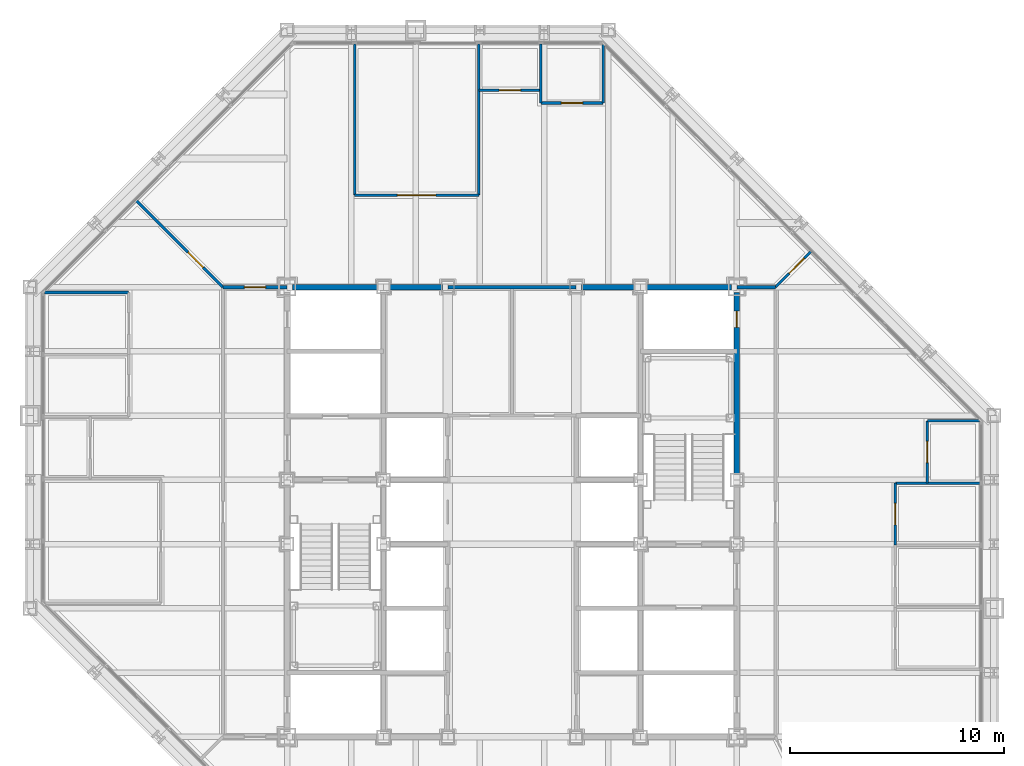
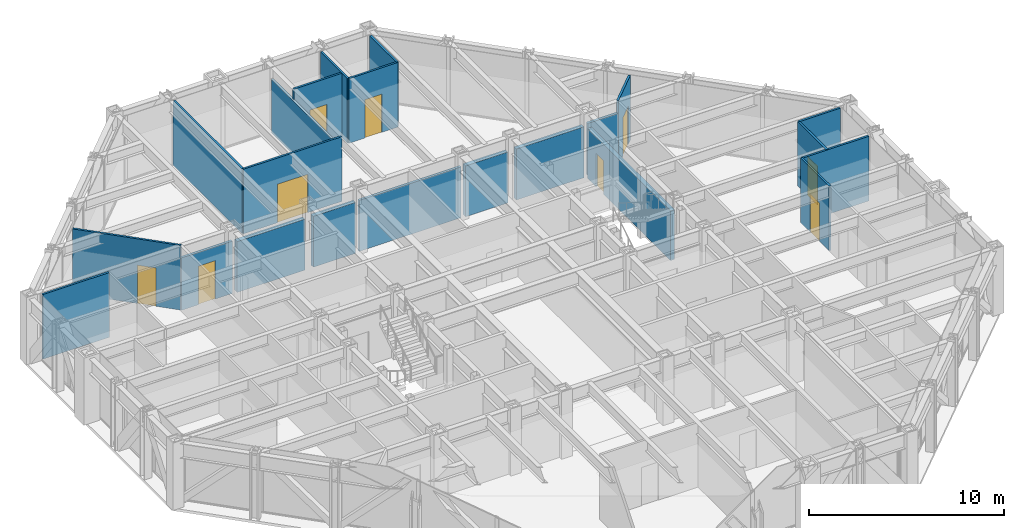
# One storey, part 13 of 16: 22 walls, 9 doors, 9 openings.
"""IFC4 building model written with IfcOpenShell, lengths in metres."""

from ifc_helpers import new_model, si_unit, direction, frame, frame_2d, origin, place, context, subcontext, project, spatial, rectangle, extrude, material, layer, layer_set, type_object, element, fill, save


model = new_model("IFC4")

# Units and contexts
model_context = context("Model", 3, precision=1e-05, world=origin(), true_north=direction((0.0, 1.0)))
body_context = subcontext(model_context, "Body", "Model", "MODEL_VIEW")
ifc_project = project(units=[si_unit("LENGTHUNIT", "METRE"), si_unit("AREAUNIT", "SQUARE_METRE"), si_unit("VOLUMEUNIT", "CUBIC_METRE"), si_unit("PLANEANGLEUNIT", "RADIAN"), si_unit("MASSUNIT", "GRAM", prefix="KILO")], contexts=[model_context])

# Site, building, storey
site_placement = place(None, origin())
site = spatial("IfcSite", under=ifc_project, at=site_placement, CompositionType="ELEMENT")
building_placement = place(site_placement, origin())
building = spatial("IfcBuilding", under=site, at=building_placement, Name="Chuquiago Exchange Tower", CompositionType="ELEMENT")
storey_placement = place(building_placement, frame((0.0, 0.0, 213.89990234375)))
storey = spatial("IfcBuildingStorey", under=building, at=storey_placement, Name="L47", CompositionType="ELEMENT", Elevation=213.89990234375)

# Walls
ifc_material_1 = material(Name="Concrete masonry, fully grouted", Category="masonry")
ifc_layer_1 = layer(ifc_material_1, 0.25)
ifc_layer_set_1 = layer_set([ifc_layer_1], Name="W1 core wall 250")
wall_type_1 = type_object("IfcWallType", Name="W1 core wall 250", PredefinedType="SOLIDWALL", material=ifc_layer_set_1)
wall_1_placement = place(storey_placement, frame((12.25, 33.0, 0.0), z_axis=(0.0, 0.0, 1.0), x_axis=(1.0, 0.0, 0.0)))
element("IfcWall", 1, at=wall_1_placement, inside=storey, type_object=wall_type_1, Name="CW-L47-11-0", PredefinedType="SOLIDWALL", context=body_context, shape_type="SweptSolid", body=[
    extrude(rectangle(XDim=4.0, YDim=0.25, at=frame_2d((2.0, 0.0))), origin(), (0.0, 0.0, 1.0), 3.181640625),
])
for number, where, z_axis, x_axis, name in (
    (2, (16.75, 33.0, 0.0), (0.0, 0.0, 1.0), (1.0, 0.0, 0.0), "CW-L47-11-1"),
    (3, (25.75, 33.0, 0.0), (0.0, 0.0, 1.0), (1.0, 0.0, 0.0), "CW-L47-12-0"),
):
    element("IfcWall", number, at=place(storey_placement, frame(where, z_axis=z_axis, x_axis=x_axis)), inside=storey, type_object=wall_type_1, Name=name, PredefinedType="SOLIDWALL", context=body_context, shape_type="SweptSolid", body=[
        extrude(rectangle(XDim=2.5, YDim=0.25, at=frame_2d((1.25, 0.0))), origin(), (0.0, 0.0, 1.0), 3.181640625),
    ])
wall_2_placement = place(storey_placement, frame((28.75, 33.0, 0.0), z_axis=(0.0, 0.0, 1.0), x_axis=(1.0, 0.0, 0.0)))
element("IfcWall", 4, at=wall_2_placement, inside=storey, type_object=wall_type_1, Name="CW-L47-12-1", PredefinedType="SOLIDWALL", context=body_context, shape_type="SweptSolid", body=[
    extrude(rectangle(XDim=4.0, YDim=0.25, at=frame_2d((2.0, 0.0))), origin(), (0.0, 0.0, 1.0), 3.181640625),
])

# Wall, opening, door
wall_3_placement = place(storey_placement, frame((33.0, 24.25, 0.0), z_axis=(0.0, 0.0, 1.0), x_axis=(0.0, 1.0, 0.0)))
wall_3 = element("IfcWall", 5, at=wall_3_placement, inside=storey, type_object=wall_type_1, Name="CW-L47-25-2", PredefinedType="SOLIDWALL", context=body_context, shape_type="SweptSolid", body=[
    extrude(rectangle(XDim=8.5, YDim=0.25, at=frame_2d((4.25, 0.0))), origin(), (0.0, 0.0, 1.0), 3.113037109375),
])
opening_1_placement = place(wall_3_placement, frame((6.875, 0.0, 0.0)))
opening_1 = element("IfcOpeningElement", 6, at=opening_1_placement, cuts=wall_3, Name="Opening L47-010", PredefinedType="OPENING", context=body_context, shape_type="SweptSolid", body=[
    extrude(rectangle(XDim=0.75, YDim=2.10009765625, at=frame_2d((0.375, 1.050048828125))), frame((0.0, 0.135009765625, 0.0), z_axis=(0.0, -1.0, 0.0), x_axis=(1.0, 0.0, 0.0)), (0.0, 0.0, 1.0), 0.27001953125),
])
ifc_material_2 = material(Name="Steel door, painted", Category="steel")
door_type_1 = type_object("IfcDoorType", Name="D6 riser access door 750x2100", OperationType="SINGLE_SWING_LEFT", PredefinedType="DOOR", material=ifc_material_2)
door_1_placement = place(opening_1_placement, frame((0.75, 0.0, 0.0), z_axis=(0.0, 0.0, 1.0), x_axis=(-1.0, 0.0, 0.0)))
door_1 = element("IfcDoor", 7, at=door_1_placement, inside=storey, type_object=door_type_1, Name="Riser RE2 door", OperationType="SINGLE_SWING_LEFT", OverallHeight=2.10009765625, OverallWidth=0.75, PredefinedType="DOOR", context=body_context, shape_type="SweptSolid", body=[
    extrude(rectangle(XDim=0.75, YDim=2.10009765625, at=frame_2d((0.375, 1.050048828125))), frame((0.0, 0.02490234375, 0.0), z_axis=(0.0, -1.0, 0.0), x_axis=(1.0, 0.0, 0.0)), (0.0, 0.0, 1.0), 0.050048828125),
])
fill(opening_1, door_1)

ifc_material_3 = material(Name="Gypsum board on steel studs, acoustic insulation", Category="steel")
ifc_layer_2 = layer(ifc_material_3, 0.14990234375)
ifc_layer_set_2 = layer_set([ifc_layer_2], Name="W11 corridor wall 150")
wall_type_2 = type_object("IfcWallType", Name="W11 corridor wall 150", PredefinedType="PARTITIONING", material=ifc_layer_set_2)
wall_4_placement = place(storey_placement, frame((9.0, 33.0, 0.0), z_axis=(0.0, 0.0, 1.0), x_axis=(1.0, 0.0, 0.0)))
wall_4 = element("IfcWall", 8, at=wall_4_placement, inside=storey, type_object=wall_type_2, Name="PW-L47-GWN0", PredefinedType="PARTITIONING", context=body_context, shape_type="SweptSolid", body=[
    extrude(rectangle(XDim=3.0, YDim=0.14990234375, at=frame_2d((1.5, 0.0))), origin(), (0.0, 0.0, 1.0), 3.2705078125),
])
opening_2_placement = place(wall_4_placement, frame((1.0, 0.0, 0.0)))
opening_2 = element("IfcOpeningElement", 9, at=opening_2_placement, cuts=wall_4, Name="Opening L47-036", PredefinedType="OPENING", context=body_context, shape_type="SweptSolid", body=[
    extrude(rectangle(XDim=1.0, YDim=2.39990234375, at=frame_2d((0.5, 1.199951171875))), frame((0.0, 0.0849609375, 0.0), z_axis=(0.0, -1.0, 0.0), x_axis=(1.0, 0.0, 0.0)), (0.0, 0.0, 1.0), 0.169921875),
])
ifc_material_4 = material(Name="Timber door, laminate faced", Category="wood")
door_type_2 = type_object("IfcDoorType", Name="D9 room door 1000x2400", OperationType="SINGLE_SWING_LEFT", PredefinedType="DOOR", material=ifc_material_4)
door_2_placement = place(opening_2_placement, origin())
door_2 = element("IfcDoor", 10, at=door_2_placement, inside=storey, type_object=door_type_2, Name="Team area door", OperationType="SINGLE_SWING_RIGHT", OverallHeight=2.39990234375, OverallWidth=1.0, PredefinedType="DOOR", context=body_context, shape_type="SweptSolid", body=[
    extrude(rectangle(XDim=1.0, YDim=2.39990234375, at=frame_2d((0.5, 1.199951171875))), frame((0.0, 0.02490234375, 0.0), z_axis=(0.0, -1.0, 0.0), x_axis=(1.0, 0.0, 0.0)), (0.0, 0.0, 1.0), 0.050048828125),
])
fill(opening_2, door_2)

# Walls
wall_5_placement = place(storey_placement, frame((33.0, 33.0, 0.0), z_axis=(0.0, 0.0, 1.0), x_axis=(1.0, 0.0, 0.0)))
element("IfcWall", 11, at=wall_5_placement, inside=storey, type_object=wall_type_2, Name="PW-L47-GEN0", PredefinedType="PARTITIONING", context=body_context, shape_type="SweptSolid", body=[
    extrude(rectangle(XDim=1.800048828125, YDim=0.14990234375, at=frame_2d((0.89990234375, 0.0))), origin(), (0.0, 0.0, 1.0), 3.2705078125),
])
ifc_material_5 = material(Name="Gypsum board on steel studs", Category="steel")
ifc_layer_3 = layer(ifc_material_5, 0.14990234375)
ifc_layer_set_3 = layer_set([ifc_layer_3], Name="W3 core partition 150")
wall_type_3 = type_object("IfcWallType", Name="W3 core partition 150", PredefinedType="PARTITIONING", material=ifc_layer_set_3)
wall_6_placement = place(storey_placement, frame((19.5, 33.0, 0.0), z_axis=(0.0, 0.0, 1.0), x_axis=(1.0, 0.0, 0.0)))
element("IfcWall", 12, at=wall_6_placement, inside=storey, type_object=wall_type_3, Name="CW-L47-TB", PredefinedType="PARTITIONING", context=body_context, shape_type="SweptSolid", body=[
    extrude(rectangle(XDim=6.0, YDim=0.14990234375, at=frame_2d((3.0, 0.0))), origin(), (0.0, 0.0, 1.0), 3.181640625),
])
ifc_material_6 = material(Name="Gypsum board on steel studs", Category="steel")
ifc_layer_4 = layer(ifc_material_6, 0.1201171875)
ifc_layer_set_4 = layer_set([ifc_layer_4], Name="W4 partition 120")
wall_type_4 = type_object("IfcWallType", Name="W4 partition 120", PredefinedType="PARTITIONING", material=ifc_layer_set_4)
wall_7_placement = place(storey_placement, frame((44.347412109375, 23.850830078125, 0.0), z_axis=(0.0, 0.0, 1.0), x_axis=(-1.0, 0.0, 0.0)))
element("IfcWall", 13, at=wall_7_placement, inside=storey, type_object=wall_type_4, Name="PW-L47-E02385", PredefinedType="PARTITIONING", context=body_context, shape_type="SweptSolid", body=[
    extrude(rectangle(XDim=3.947509765625, YDim=0.1201171875, at=frame_2d((1.9736328125, 0.0))), origin(), (0.0, 0.0, 1.0), 4.0400390625),
])
wall_8_placement = place(storey_placement, frame((44.333984375, 26.75146484375, 0.0), z_axis=(0.0, 0.0, 1.0), x_axis=(-1.0, 0.0, 0.0)))
element("IfcWall", 14, at=wall_8_placement, inside=storey, type_object=wall_type_4, Name="PW-L47-E02675", PredefinedType="PARTITIONING", context=body_context, shape_type="SweptSolid", body=[
    extrude(rectangle(XDim=2.43408203125, YDim=0.1201171875, at=frame_2d((1.217041015625, 0.0))), origin(), (0.0, 0.0, 1.0), 4.0400390625),
])

# Wall, opening, door
wall_9_placement = place(storey_placement, frame((40.39990234375, 20.9501953125, 0.0), z_axis=(0.0, 0.0, 1.0), x_axis=(0.0, 1.0, 0.0)))
wall_9 = element("IfcWall", 15, at=wall_9_placement, inside=storey, type_object=wall_type_4, Name="PW-L47-EF02095", PredefinedType="PARTITIONING", context=body_context, shape_type="SweptSolid", body=[
    extrude(rectangle(XDim=2.900634765625, YDim=0.1201171875, at=frame_2d((1.4501953125, 0.0))), origin(), (0.0, 0.0, 1.0), 4.0400390625),
])
opening_3_placement = place(wall_9_placement, frame((0.9501953125, 0.0, 0.0)))
opening_3 = element("IfcOpeningElement", 16, at=opening_3_placement, cuts=wall_9, Name="Opening L47-026", PredefinedType="OPENING", context=body_context, shape_type="SweptSolid", body=[
    extrude(rectangle(XDim=1.0, YDim=2.39990234375, at=frame_2d((0.5, 1.199951171875))), frame((0.0, 0.070068359375, 0.0), z_axis=(0.0, -1.0, 0.0), x_axis=(1.0, 0.0, 0.0)), (0.0, 0.0, 1.0), 0.14013671875),
])
door_3_placement = place(opening_3_placement, frame((1.0, 0.0, 0.0), z_axis=(0.0, 0.0, 1.0), x_axis=(-1.0, 0.0, 0.0)))
door_3 = element("IfcDoor", 17, at=door_3_placement, inside=storey, type_object=door_type_2, Name="Office door", OperationType="SINGLE_SWING_RIGHT", OverallHeight=2.39990234375, OverallWidth=1.0, PredefinedType="DOOR", context=body_context, shape_type="SweptSolid", body=[
    extrude(rectangle(XDim=1.0, YDim=2.39990234375, at=frame_2d((0.5, 1.199951171875))), frame((0.0, 0.02490234375, 0.0), z_axis=(0.0, -1.0, 0.0), x_axis=(1.0, 0.0, 0.0)), (0.0, 0.0, 1.0), 0.050048828125),
])
fill(opening_3, door_3)

wall_10_placement = place(storey_placement, frame((41.89990234375, 23.850830078125, 0.0), z_axis=(0.0, 0.0, 1.0), x_axis=(0.0, 1.0, 0.0)))
wall_10 = element("IfcWall", 18, at=wall_10_placement, inside=storey, type_object=wall_type_4, Name="PW-L47-EF02385", PredefinedType="PARTITIONING", context=body_context, shape_type="SweptSolid", body=[
    extrude(rectangle(XDim=2.900634765625, YDim=0.1201171875, at=frame_2d((1.4501953125, 0.0))), origin(), (0.0, 0.0, 1.0), 4.0400390625),
])
opening_4_placement = place(wall_10_placement, frame((0.9501953125, 0.0, 0.0)))
opening_4 = element("IfcOpeningElement", 19, at=opening_4_placement, cuts=wall_10, Name="Opening L47-027", PredefinedType="OPENING", context=body_context, shape_type="SweptSolid", body=[
    extrude(rectangle(XDim=1.0, YDim=2.39990234375, at=frame_2d((0.5, 1.199951171875))), frame((0.0, 0.070068359375, 0.0), z_axis=(0.0, -1.0, 0.0), x_axis=(1.0, 0.0, 0.0)), (0.0, 0.0, 1.0), 0.14013671875),
])
door_4_placement = place(opening_4_placement, frame((1.0, 0.0, 0.0), z_axis=(0.0, 0.0, 1.0), x_axis=(-1.0, 0.0, 0.0)))
door_4 = element("IfcDoor", 20, at=door_4_placement, inside=storey, type_object=door_type_2, Name="Store door", OperationType="SINGLE_SWING_RIGHT", OverallHeight=2.39990234375, OverallWidth=1.0, PredefinedType="DOOR", context=body_context, shape_type="SweptSolid", body=[
    extrude(rectangle(XDim=1.0, YDim=2.39990234375, at=frame_2d((0.5, 1.199951171875))), frame((0.0, 0.02490234375, 0.0), z_axis=(0.0, -1.0, 0.0), x_axis=(1.0, 0.0, 0.0)), (0.0, 0.0, 1.0), 0.050048828125),
])
fill(opening_4, door_4)

# Walls
wall_11_placement = place(storey_placement, frame((15.149169921875, 44.347412109375, 0.0), z_axis=(0.0, 0.0, 1.0), x_axis=(0.0, -1.0, 0.0)))
element("IfcWall", 21, at=wall_11_placement, inside=storey, type_object=wall_type_4, Name="PW-L47-N01515", PredefinedType="PARTITIONING", context=body_context, shape_type="SweptSolid", body=[
    extrude(rectangle(XDim=7.04736328125, YDim=0.1201171875, at=frame_2d((3.523681640625, 0.0))), origin(), (0.0, 0.0, 1.0), 4.0400390625),
])
wall_12_placement = place(storey_placement, frame((20.9501953125, 44.347412109375, 0.0), z_axis=(0.0, 0.0, 1.0), x_axis=(0.0, -1.0, 0.0)))
element("IfcWall", 22, at=wall_12_placement, inside=storey, type_object=wall_type_4, Name="PW-L47-N02095", PredefinedType="PARTITIONING", context=body_context, shape_type="SweptSolid", body=[
    extrude(rectangle(XDim=7.04736328125, YDim=0.1201171875, at=frame_2d((3.523681640625, 0.0))), origin(), (0.0, 0.0, 1.0), 3.35693359375),
])
wall_13_placement = place(storey_placement, frame((23.850830078125, 44.347412109375, 0.0), z_axis=(0.0, 0.0, 1.0), x_axis=(0.0, -1.0, 0.0)))
element("IfcWall", 23, at=wall_13_placement, inside=storey, type_object=wall_type_4, Name="PW-L47-N02385", PredefinedType="PARTITIONING", context=body_context, shape_type="SweptSolid", body=[
    extrude(rectangle(XDim=2.747314453125, YDim=0.1201171875, at=frame_2d((1.37353515625, 0.0))), origin(), (0.0, 0.0, 1.0), 4.0400390625),
])
wall_14_placement = place(storey_placement, frame((26.75146484375, 44.333984375, 0.0), z_axis=(0.0, 0.0, 1.0), x_axis=(0.0, -1.0, 0.0)))
element("IfcWall", 24, at=wall_14_placement, inside=storey, type_object=wall_type_4, Name="PW-L47-N02675", PredefinedType="PARTITIONING", context=body_context, shape_type="SweptSolid", body=[
    extrude(rectangle(XDim=2.73388671875, YDim=0.1201171875, at=frame_2d((1.366943359375, 0.0))), origin(), (0.0, 0.0, 1.0), 4.0400390625),
])

# Wall, opening, door
wall_15_placement = place(storey_placement, frame((15.149169921875, 37.300048828125, 0.0), z_axis=(0.0, 0.0, 1.0), x_axis=(1.0, 0.0, 0.0)))
wall_15 = element("IfcWall", 25, at=wall_15_placement, inside=storey, type_object=wall_type_4, Name="PW-L47-NF01515", PredefinedType="PARTITIONING", context=body_context, shape_type="SweptSolid", body=[
    extrude(rectangle(XDim=5.801025390625, YDim=0.1201171875, at=frame_2d((2.900390625, 0.0))), origin(), (0.0, 0.0, 1.0), 4.0400390625),
])
opening_5_placement = place(wall_15_placement, frame((2.00048828125, 0.0, 0.0)))
opening_5 = element("IfcOpeningElement", 26, at=opening_5_placement, cuts=wall_15, Name="Opening L47-028", PredefinedType="OPENING", context=body_context, shape_type="SweptSolid", body=[
    extrude(rectangle(XDim=1.800048828125, YDim=2.39990234375, at=frame_2d((0.89990234375, 1.199951171875))), frame((0.0, 0.070068359375, 0.0), z_axis=(0.0, -1.0, 0.0), x_axis=(1.0, 0.0, 0.0)), (0.0, 0.0, 1.0), 0.14013671875),
])
ifc_material_7 = material(Name="Timber door pair, laminate faced", Category="wood")
door_type_3 = type_object("IfcDoorType", Name="D15 double room door 1800x2400", OperationType="DOUBLE_DOOR_DOUBLE_SWING", PredefinedType="DOOR", material=ifc_material_7)
door_5_placement = place(opening_5_placement, origin())
door_5 = element("IfcDoor", 27, at=door_5_placement, inside=storey, type_object=door_type_3, Name="Media room door", OperationType="DOUBLE_DOOR_DOUBLE_SWING", OverallHeight=2.39990234375, OverallWidth=1.800048828125, PredefinedType="DOOR", context=body_context, shape_type="SweptSolid", body=[
    extrude(rectangle(XDim=1.800048828125, YDim=2.39990234375, at=frame_2d((0.89990234375, 1.199951171875))), frame((0.0, 0.02490234375, 0.0), z_axis=(0.0, -1.0, 0.0), x_axis=(1.0, 0.0, 0.0)), (0.0, 0.0, 1.0), 0.050048828125),
])
fill(opening_5, door_5)

wall_16_placement = place(storey_placement, frame((20.9501953125, 42.199951171875, 0.0), z_axis=(0.0, 0.0, 1.0), x_axis=(1.0, 0.0, 0.0)))
wall_16 = element("IfcWall", 28, at=wall_16_placement, inside=storey, type_object=wall_type_4, Name="PW-L47-NF02095", PredefinedType="PARTITIONING", context=body_context, shape_type="SweptSolid", body=[
    extrude(rectangle(XDim=2.900634765625, YDim=0.1201171875, at=frame_2d((1.4501953125, 0.0))), origin(), (0.0, 0.0, 1.0), 4.0400390625),
])
opening_6_placement = place(wall_16_placement, frame((0.9501953125, 0.0, 0.0)))
opening_6 = element("IfcOpeningElement", 29, at=opening_6_placement, cuts=wall_16, Name="Opening L47-029", PredefinedType="OPENING", context=body_context, shape_type="SweptSolid", body=[
    extrude(rectangle(XDim=1.0, YDim=2.39990234375, at=frame_2d((0.5, 1.199951171875))), frame((0.0, 0.070068359375, 0.0), z_axis=(0.0, -1.0, 0.0), x_axis=(1.0, 0.0, 0.0)), (0.0, 0.0, 1.0), 0.14013671875),
])
ifc_material_8 = material(Name="Timber frame door, full height glazed panel", Category="wood")
door_type_4 = type_object("IfcDoorType", Name="D14 glazed meeting room door 1000x2400", OperationType="SINGLE_SWING_LEFT", PredefinedType="DOOR", material=ifc_material_8)
door_6_placement = place(opening_6_placement, origin())
door_6 = element("IfcDoor", 30, at=door_6_placement, inside=storey, type_object=door_type_4, Name="Focus room door", OperationType="SINGLE_SWING_LEFT", OverallHeight=2.39990234375, OverallWidth=1.0, PredefinedType="DOOR", context=body_context, shape_type="SweptSolid", body=[
    extrude(rectangle(XDim=1.0, YDim=2.39990234375, at=frame_2d((0.5, 1.199951171875))), frame((0.0, 0.02490234375, 0.0), z_axis=(0.0, -1.0, 0.0), x_axis=(1.0, 0.0, 0.0)), (0.0, 0.0, 1.0), 0.050048828125),
])
fill(opening_6, door_6)

wall_17_placement = place(storey_placement, frame((23.850830078125, 41.60009765625, 0.0), z_axis=(0.0, 0.0, 1.0), x_axis=(1.0, 0.0, 0.0)))
wall_17 = element("IfcWall", 31, at=wall_17_placement, inside=storey, type_object=wall_type_4, Name="PW-L47-NF02385", PredefinedType="PARTITIONING", context=body_context, shape_type="SweptSolid", body=[
    extrude(rectangle(XDim=2.900634765625, YDim=0.1201171875, at=frame_2d((1.4501953125, 0.0))), origin(), (0.0, 0.0, 1.0), 4.0400390625),
])
opening_7_placement = place(wall_17_placement, frame((0.9501953125, 0.0, 0.0)))
opening_7 = element("IfcOpeningElement", 32, at=opening_7_placement, cuts=wall_17, Name="Opening L47-030", PredefinedType="OPENING", context=body_context, shape_type="SweptSolid", body=[
    extrude(rectangle(XDim=1.0, YDim=2.39990234375, at=frame_2d((0.5, 1.199951171875))), frame((0.0, 0.070068359375, 0.0), z_axis=(0.0, -1.0, 0.0), x_axis=(1.0, 0.0, 0.0)), (0.0, 0.0, 1.0), 0.14013671875),
])
door_7_placement = place(opening_7_placement, origin())
door_7 = element("IfcDoor", 33, at=door_7_placement, inside=storey, type_object=door_type_2, Name="Pantry door", OperationType="SINGLE_SWING_LEFT", OverallHeight=2.39990234375, OverallWidth=1.0, PredefinedType="DOOR", context=body_context, shape_type="SweptSolid", body=[
    extrude(rectangle(XDim=1.0, YDim=2.39990234375, at=frame_2d((0.5, 1.199951171875))), frame((0.0, 0.02490234375, 0.0), z_axis=(0.0, -1.0, 0.0), x_axis=(1.0, 0.0, 0.0)), (0.0, 0.0, 1.0), 0.050048828125),
])
fill(opening_7, door_7)

# Wall
wall_18_placement = place(storey_placement, frame((0.666015625, 32.75146484375, 0.0), z_axis=(0.0, 0.0, 1.0), x_axis=(1.0, 0.0, 0.0)))
element("IfcWall", 34, at=wall_18_placement, inside=storey, type_object=wall_type_4, Name="PW-L47-W03275", PredefinedType="PARTITIONING", context=body_context, shape_type="SweptSolid", body=[
    extrude(rectangle(XDim=3.93408203125, YDim=0.1201171875, at=frame_2d((1.967041015625, 0.0))), origin(), (0.0, 0.0, 1.0), 4.0400390625),
])

# Wall, opening, door
wall_19_placement = place(storey_placement, frame((34.800048828125, 33.0, 0.0), z_axis=(0.0, 0.0, 1.0), x_axis=(0.707106781187, 0.707106781187, 0.0)))
wall_19 = element("IfcWall", 35, at=wall_19_placement, inside=storey, type_object=wall_type_4, Name="PW-L47-QNE", PredefinedType="PARTITIONING", context=body_context, shape_type="SweptSolid", body=[
    extrude(rectangle(XDim=2.337890625, YDim=0.1201171875, at=frame_2d((1.1689453125, 0.0))), origin(), (0.0, 0.0, 1.0), 4.0400390625),
])
opening_8_placement = place(wall_19_placement, frame((0.89990234375, 0.0, 0.0)))
opening_8 = element("IfcOpeningElement", 36, at=opening_8_placement, cuts=wall_19, Name="Opening L47-039", PredefinedType="OPENING", context=body_context, shape_type="SweptSolid", body=[
    extrude(rectangle(XDim=1.0, YDim=2.39990234375, at=frame_2d((0.5, 1.199951171875))), frame((0.0, 0.070068359375, 0.0), z_axis=(0.0, -1.0, 0.0), x_axis=(1.0, 0.0, 0.0)), (0.0, 0.0, 1.0), 0.14013671875),
])
door_8_placement = place(opening_8_placement, frame((1.0, 0.0, 0.0), z_axis=(0.0, 0.0, 1.0), x_axis=(-1.0, 0.0, 0.0)))
door_8 = element("IfcDoor", 37, at=door_8_placement, inside=storey, type_object=door_type_2, Name="Team area door", OperationType="SINGLE_SWING_LEFT", OverallHeight=2.39990234375, OverallWidth=1.0, PredefinedType="DOOR", context=body_context, shape_type="SweptSolid", body=[
    extrude(rectangle(XDim=1.0, YDim=2.39990234375, at=frame_2d((0.5, 1.199951171875))), frame((0.0, 0.02490234375, 0.0), z_axis=(0.0, -1.0, 0.0), x_axis=(1.0, 0.0, 0.0)), (0.0, 0.0, 1.0), 0.050048828125),
])
fill(opening_8, door_8)

wall_20_placement = place(storey_placement, frame((9.0, 33.0, 0.0), z_axis=(0.0, 0.0, 1.0), x_axis=(-0.707106781187, 0.707106781187, 0.0)))
wall_20 = element("IfcWall", 38, at=wall_20_placement, inside=storey, type_object=wall_type_4, Name="PW-L47-QNW", PredefinedType="PARTITIONING", context=body_context, shape_type="SweptSolid", body=[
    extrude(rectangle(XDim=5.731689453125, YDim=0.1201171875, at=frame_2d((2.86572265625, 0.0))), origin(), (0.0, 0.0, 1.0), 4.0400390625),
])
opening_9_placement = place(wall_20_placement, frame((1.300048828125, 0.0, 0.0)))
opening_9 = element("IfcOpeningElement", 39, at=opening_9_placement, cuts=wall_20, Name="Opening L47-040", PredefinedType="OPENING", context=body_context, shape_type="SweptSolid", body=[
    extrude(rectangle(XDim=1.0, YDim=2.39990234375, at=frame_2d((0.5, 1.199951171875))), frame((0.0, 0.070068359375, 0.0), z_axis=(0.0, -1.0, 0.0), x_axis=(1.0, 0.0, 0.0)), (0.0, 0.0, 1.0), 0.14013671875),
])
door_9_placement = place(opening_9_placement, frame((1.0, 0.0, 0.0), z_axis=(0.0, 0.0, 1.0), x_axis=(-1.0, 0.0, 0.0)))
door_9 = element("IfcDoor", 40, at=door_9_placement, inside=storey, type_object=door_type_2, Name="Team area door", OperationType="SINGLE_SWING_RIGHT", OverallHeight=2.39990234375, OverallWidth=1.0, PredefinedType="DOOR", context=body_context, shape_type="SweptSolid", body=[
    extrude(rectangle(XDim=1.0, YDim=2.39990234375, at=frame_2d((0.5, 1.199951171875))), frame((0.0, 0.02490234375, 0.0), z_axis=(0.0, -1.0, 0.0), x_axis=(1.0, 0.0, 0.0)), (0.0, 0.0, 1.0), 0.050048828125),
])
fill(opening_9, door_9)

save(model, "model.ifc")
